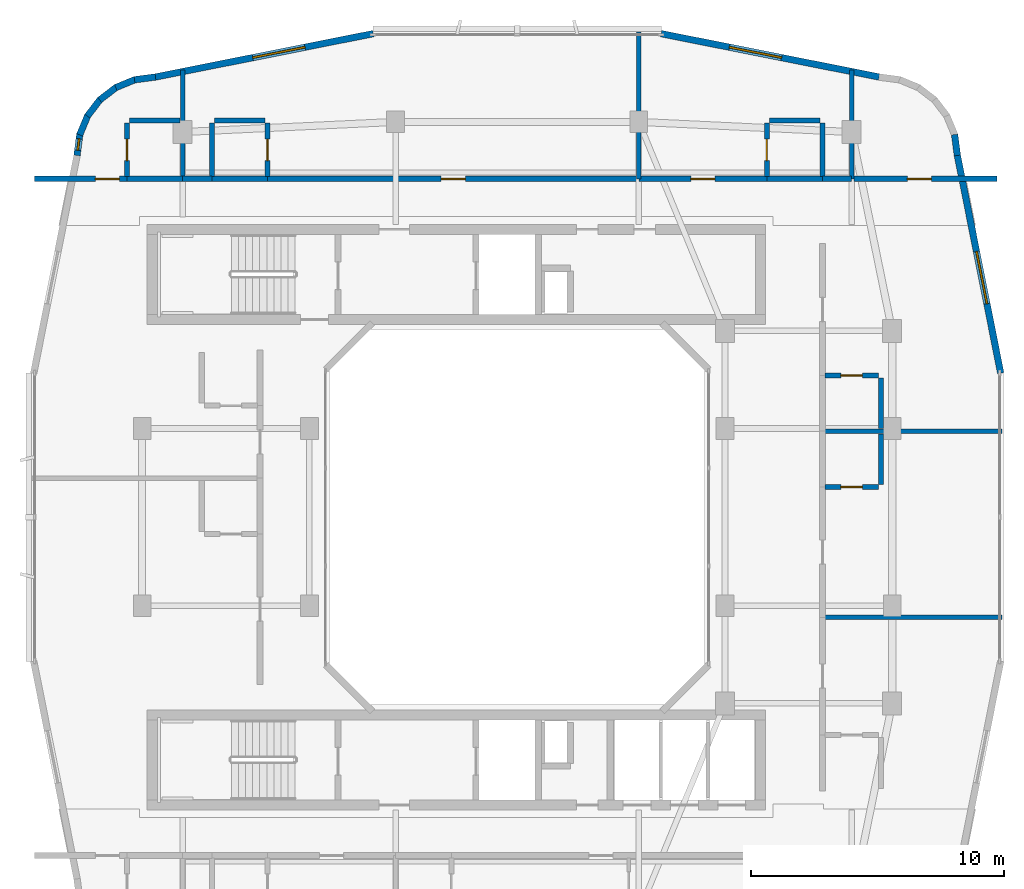
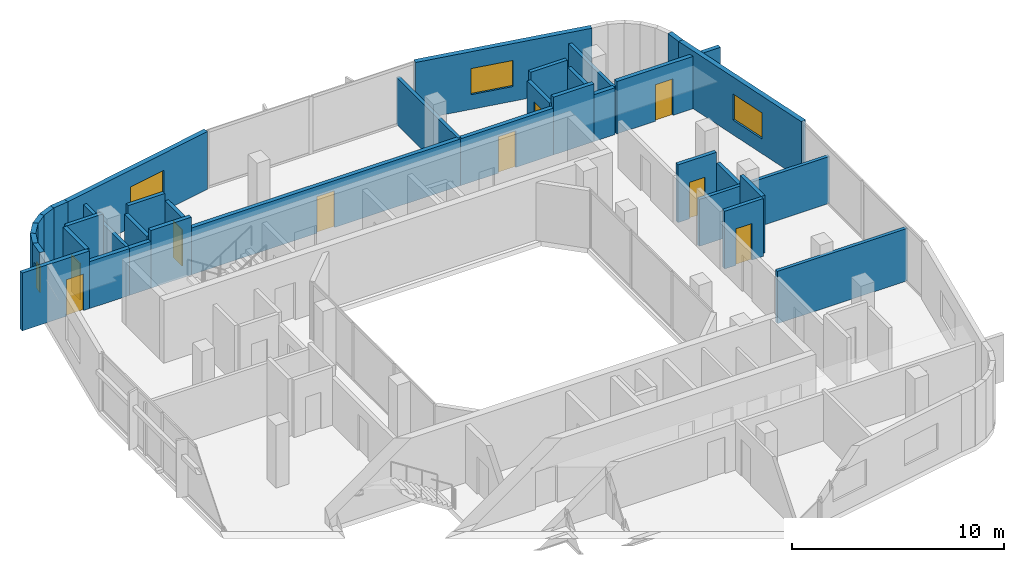
# One storey, part 9 of 14: 36 walls, 9 doors, 4 windows, 13 openings.
"""IFC4 building model written with IfcOpenShell, lengths in metres."""

from ifc_helpers import new_model, si_unit, derived_unit, direction, frame, frame_2d, origin, place, context, subcontext, project, spatial, rectangle, extrude, material, layer, layer_set, type_object, element, fill, save


model = new_model("IFC4")

# Units and contexts
model_context = context("Model", 3, precision=1e-05, world=origin(), true_north=direction((0.0, 1.0)))
body_context = subcontext(model_context, "Body", "Model", "MODEL_VIEW")
ifc_project = project(units=[si_unit("LENGTHUNIT", "METRE"), si_unit("AREAUNIT", "SQUARE_METRE"), si_unit("VOLUMEUNIT", "CUBIC_METRE"), si_unit("PLANEANGLEUNIT", "RADIAN"), si_unit("MASSUNIT", "GRAM", prefix="KILO"), derived_unit("THERMALTRANSMITTANCEUNIT", [(si_unit("POWERUNIT", "WATT"), 1), (si_unit("LENGTHUNIT", "METRE"), -2), (si_unit("THERMODYNAMICTEMPERATUREUNIT", "KELVIN"), -1)])], contexts=[model_context])

# Site, building, storey
site_placement = place(None, origin())
site = spatial("IfcSite", under=ifc_project, at=site_placement, CompositionType="ELEMENT")
building_placement = place(site_placement, origin())
building = spatial("IfcBuilding", under=site, at=building_placement, Name="Kivonza Crest Hotel", CompositionType="ELEMENT")
storey_placement = place(building_placement, frame((0.0, 0.0, 206.300048828125)))
storey = spatial("IfcBuildingStorey", under=building, at=storey_placement, Name="L56", CompositionType="ELEMENT", Elevation=206.300048828125)

# Walls
ifc_material_1 = material(Name="High-density acoustic masonry inter-tenancy wall", Category="masonry")
ifc_layer_1 = layer(ifc_material_1, 0.179931640625)
ifc_layer_set_1 = layer_set([ifc_layer_1], Name="High-density acoustic masonry inter-tenancy wall")
wall_type_1 = type_object("IfcWallType", Name="WL-ACOU-180", PredefinedType="SOLIDWALL", material=ifc_layer_set_1)
wall_1_placement = place(storey_placement, frame((7.800048828125, 38.35009765625, 0.0), z_axis=(0.0, 0.0, 1.0), x_axis=(0.0, 1.0, 0.0)))
element("IfcWall", 1, at=wall_1_placement, inside=storey, type_object=wall_type_1, Name="L56 interior partition WA-L56-T1N-DIV1", PredefinedType="SOLIDWALL", context=body_context, shape_type="SweptSolid", body=[
    extrude(rectangle(XDim=4.307861328125, YDim=0.179931640625, at=frame_2d((2.15380859375, 0.0))), origin(), (0.0, 0.0, 1.0), 2.695068359375),
])
wall_2_placement = place(storey_placement, frame((25.800048828125, 38.35009765625, 0.0), z_axis=(0.0, 0.0, 1.0), x_axis=(0.0, 1.0, 0.0)))
element("IfcWall", 2, at=wall_2_placement, inside=storey, type_object=wall_type_1, Name="L56 interior partition WA-L56-T1N-DIV2", PredefinedType="SOLIDWALL", context=body_context, shape_type="SweptSolid", body=[
    extrude(rectangle(XDim=5.789794921875, YDim=0.179931640625, at=frame_2d((2.89501953125, 0.0))), origin(), (0.0, 0.0, 1.0), 2.695068359375),
])
wall_3_placement = place(storey_placement, frame((34.199951171875, 38.35009765625, 0.0), z_axis=(0.0, 0.0, 1.0), x_axis=(0.0, 1.0, 0.0)))
element("IfcWall", 3, at=wall_3_placement, inside=storey, type_object=wall_type_1, Name="L56 interior partition WA-L56-T1N-DIV3", PredefinedType="SOLIDWALL", context=body_context, shape_type="SweptSolid", body=[
    extrude(rectangle(XDim=4.307861328125, YDim=0.179931640625, at=frame_2d((2.15380859375, 0.0))), origin(), (0.0, 0.0, 1.0), 2.695068359375),
])
wall_4_placement = place(storey_placement, frame((33.050048828125, 21.049072265625, 0.0), z_axis=(0.0, 0.0, 1.0), x_axis=(1.0, 0.0, 0.0)))
element("IfcWall", 4, at=wall_4_placement, inside=storey, type_object=wall_type_1, Name="L56 interior partition WA-L56-T1E-DIV1", PredefinedType="SOLIDWALL", context=body_context, shape_type="SweptSolid", body=[
    extrude(rectangle(XDim=7.08984375, YDim=0.179931640625, at=frame_2d((3.544921875, 0.0))), origin(), (0.0, 0.0, 1.0), 3.014892578125),
])
wall_5_placement = place(storey_placement, frame((33.050048828125, 28.39306640625, 0.0), z_axis=(0.0, 0.0, 1.0), x_axis=(1.0, 0.0, 0.0)))
element("IfcWall", 5, at=wall_5_placement, inside=storey, type_object=wall_type_1, Name="L56 interior partition WA-L56-T1E-DIV2", PredefinedType="SOLIDWALL", context=body_context, shape_type="SweptSolid", body=[
    extrude(rectangle(XDim=7.08984375, YDim=0.179931640625, at=frame_2d((3.544921875, 0.0))), origin(), (0.0, 0.0, 1.0), 2.695068359375),
])
ifc_material_2 = material(Name="Autoclaved aerated concrete blockwork", Category="masonry")
ifc_layer_2 = layer(ifc_material_2, 0.219970703125)
ifc_layer_set_2 = layer_set([ifc_layer_2], Name="Autoclaved aerated concrete blockwork")
wall_type_2 = type_object("IfcWallType", Name="WL-ACOU-220", PredefinedType="SOLIDWALL", material=ifc_layer_set_2)
wall_6_placement = place(storey_placement, frame((5.60009765625, 38.35009765625, 0.0), z_axis=(0.0, 0.0, 1.0), x_axis=(1.0, 0.0, 0.0)))
element("IfcWall", 6, at=wall_6_placement, inside=storey, type_object=wall_type_2, Name="L56 interior partition WA-L56-N01-BCORR", PredefinedType="SOLIDWALL", context=body_context, shape_type="SweptSolid", body=[
    extrude(rectangle(XDim=2.199951171875, YDim=0.219970703125, at=frame_2d((1.10009765625, 0.0))), origin(), (0.0, 0.0, 1.0), 2.695068359375),
])

# Wall, opening, door
wall_7_placement = place(storey_placement, frame((1.9599609375, 38.35009765625, 0.0), z_axis=(0.0, 0.0, 1.0), x_axis=(1.0, 0.0, 0.0)))
wall_7 = element("IfcWall", 7, at=wall_7_placement, inside=storey, type_object=wall_type_2, Name="L56 interior partition WA-L56-N01-MCORR", PredefinedType="SOLIDWALL", context=body_context, shape_type="SweptSolid", body=[
    extrude(rectangle(XDim=3.64013671875, YDim=0.219970703125, at=frame_2d((1.820068359375, 0.0))), origin(), (0.0, 0.0, 1.0), 3.320068359375),
])
opening_1_placement = place(wall_7_placement, frame((2.389892578125, 0.0, 0.0)))
opening_1 = element("IfcOpeningElement", 8, at=opening_1_placement, cuts=wall_7, Name="Opening DU-60", PredefinedType="OPENING", context=body_context, shape_type="SweptSolid", body=[
    extrude(rectangle(XDim=0.949951171875, YDim=2.10009765625, at=frame_2d((0.47509765625, 1.050048828125))), frame((0.0, 0.1201171875, 0.0), z_axis=(0.0, -1.0, 0.0), x_axis=(1.0, 0.0, 0.0)), (0.0, 0.0, 1.0), 0.239990234375),
])
ifc_material_3 = material(Name="Hardwood timber oak", Category="wood")
door_type_1 = type_object("IfcDoorType", Name="DR-UNIT-950", OperationType="NOTDEFINED", PredefinedType="DOOR", material=ifc_material_3)
door_1_placement = place(opening_1_placement, origin())
door_1 = element("IfcDoor", 9, at=door_1_placement, inside=storey, type_object=door_type_1, Name="L56 N01 guest unit entrance fire door", OperationType="SINGLE_SWING_LEFT", OverallHeight=2.10009765625, OverallWidth=0.949951171875, PredefinedType="DOOR", context=body_context, shape_type="SweptSolid", body=[
    extrude(rectangle(XDim=0.949951171875, YDim=2.10009765625, at=frame_2d((0.47509765625, 1.050048828125))), frame((0.0, 0.02490234375, 0.0), z_axis=(0.0, -1.0, 0.0), x_axis=(1.0, 0.0, 0.0)), (0.0, 0.0, 1.0), 0.050048828125),
])
fill(opening_1, door_1)

# Walls
wall_8_placement = place(storey_placement, frame((7.800048828125, 38.35009765625, 0.0), z_axis=(0.0, 0.0, 1.0), x_axis=(1.0, 0.0, 0.0)))
element("IfcWall", 10, at=wall_8_placement, inside=storey, type_object=wall_type_2, Name="L56 interior partition WA-L56-N02-XCORR", PredefinedType="SOLIDWALL", context=body_context, shape_type="SweptSolid", body=[
    extrude(rectangle(XDim=1.14990234375, YDim=0.219970703125, at=frame_2d((0.574951171875, 0.0))), origin(), (0.0, 0.0, 1.0), 2.695068359375),
])
wall_9_placement = place(storey_placement, frame((8.949951171875, 38.35009765625, 0.0), z_axis=(0.0, 0.0, 1.0), x_axis=(1.0, 0.0, 0.0)))
element("IfcWall", 11, at=wall_9_placement, inside=storey, type_object=wall_type_2, Name="L56 interior partition WA-L56-N02-BCORR", PredefinedType="SOLIDWALL", context=body_context, shape_type="SweptSolid", body=[
    extrude(rectangle(XDim=2.199951171875, YDim=0.219970703125, at=frame_2d((1.10009765625, 0.0))), origin(), (0.0, 0.0, 1.0), 3.320068359375),
])

# Wall, opening, door
wall_10_placement = place(storey_placement, frame((11.14990234375, 38.35009765625, 0.0), z_axis=(0.0, 0.0, 1.0), x_axis=(1.0, 0.0, 0.0)))
wall_10 = element("IfcWall", 12, at=wall_10_placement, inside=storey, type_object=wall_type_2, Name="L56 interior partition WA-L56-N02-MCORR", PredefinedType="SOLIDWALL", context=body_context, shape_type="SweptSolid", body=[
    extrude(rectangle(XDim=14.650146484375, YDim=0.219970703125, at=frame_2d((7.3251953125, 0.0))), origin(), (0.0, 0.0, 1.0), 2.695068359375),
])
opening_2_placement = place(wall_10_placement, frame((6.85009765625, 0.0, 0.0)))
opening_2 = element("IfcOpeningElement", 13, at=opening_2_placement, cuts=wall_10, Name="Opening DU-60", PredefinedType="OPENING", context=body_context, shape_type="SweptSolid", body=[
    extrude(rectangle(XDim=0.949951171875, YDim=2.10009765625, at=frame_2d((0.47509765625, 1.050048828125))), frame((0.0, 0.1201171875, 0.0), z_axis=(0.0, -1.0, 0.0), x_axis=(1.0, 0.0, 0.0)), (0.0, 0.0, 1.0), 0.239990234375),
])
door_2_placement = place(opening_2_placement, origin())
door_2 = element("IfcDoor", 14, at=door_2_placement, inside=storey, type_object=door_type_1, Name="L56 N02 guest unit entrance fire door", OperationType="SINGLE_SWING_RIGHT", OverallHeight=2.10009765625, OverallWidth=0.949951171875, PredefinedType="DOOR", context=body_context, shape_type="SweptSolid", body=[
    extrude(rectangle(XDim=0.949951171875, YDim=2.10009765625, at=frame_2d((0.47509765625, 1.050048828125))), frame((0.0, 0.02490234375, 0.0), z_axis=(0.0, -1.0, 0.0), x_axis=(1.0, 0.0, 0.0)), (0.0, 0.0, 1.0), 0.050048828125),
])
fill(opening_2, door_2)

# Walls
wall_11_placement = place(storey_placement, frame((33.050048828125, 38.35009765625, 0.0), z_axis=(0.0, 0.0, 1.0), x_axis=(1.0, 0.0, 0.0)))
element("IfcWall", 15, at=wall_11_placement, inside=storey, type_object=wall_type_2, Name="L56 interior partition WA-L56-N03-XCORR", PredefinedType="SOLIDWALL", context=body_context, shape_type="SweptSolid", body=[
    extrude(rectangle(XDim=1.14990234375, YDim=0.219970703125, at=frame_2d((0.574951171875, 0.0))), origin(), (0.0, 0.0, 1.0), 2.695068359375),
])
wall_12_placement = place(storey_placement, frame((30.85009765625, 38.35009765625, 0.0), z_axis=(0.0, 0.0, 1.0), x_axis=(1.0, 0.0, 0.0)))
element("IfcWall", 16, at=wall_12_placement, inside=storey, type_object=wall_type_2, Name="L56 interior partition WA-L56-N03-BCORR", PredefinedType="SOLIDWALL", context=body_context, shape_type="SweptSolid", body=[
    extrude(rectangle(XDim=2.199951171875, YDim=0.219970703125, at=frame_2d((1.10009765625, 0.0))), origin(), (0.0, 0.0, 1.0), 3.320068359375),
])

# Wall, opening, door
wall_13_placement = place(storey_placement, frame((25.800048828125, 38.35009765625, 0.0), z_axis=(0.0, 0.0, 1.0), x_axis=(1.0, 0.0, 0.0)))
wall_13 = element("IfcWall", 17, at=wall_13_placement, inside=storey, type_object=wall_type_2, Name="L56 interior partition WA-L56-N03-MCORR", PredefinedType="SOLIDWALL", context=body_context, shape_type="SweptSolid", body=[
    extrude(rectangle(XDim=5.050048828125, YDim=0.219970703125, at=frame_2d((2.52490234375, 0.0))), origin(), (0.0, 0.0, 1.0), 2.695068359375),
])
opening_3_placement = place(wall_13_placement, frame((2.050048828125, 0.0, 0.0)))
opening_3 = element("IfcOpeningElement", 18, at=opening_3_placement, cuts=wall_13, Name="Opening DU-60", PredefinedType="OPENING", context=body_context, shape_type="SweptSolid", body=[
    extrude(rectangle(XDim=0.949951171875, YDim=2.10009765625, at=frame_2d((0.47509765625, 1.050048828125))), frame((0.0, 0.1201171875, 0.0), z_axis=(0.0, -1.0, 0.0), x_axis=(1.0, 0.0, 0.0)), (0.0, 0.0, 1.0), 0.239990234375),
])
door_3_placement = place(opening_3_placement, origin())
door_3 = element("IfcDoor", 19, at=door_3_placement, inside=storey, type_object=door_type_1, Name="L56 N03 guest unit entrance fire door", OperationType="SINGLE_SWING_LEFT", OverallHeight=2.10009765625, OverallWidth=0.949951171875, PredefinedType="DOOR", context=body_context, shape_type="SweptSolid", body=[
    extrude(rectangle(XDim=0.949951171875, YDim=2.10009765625, at=frame_2d((0.47509765625, 1.050048828125))), frame((0.0, 0.02490234375, 0.0), z_axis=(0.0, -1.0, 0.0), x_axis=(1.0, 0.0, 0.0)), (0.0, 0.0, 1.0), 0.050048828125),
])
fill(opening_3, door_3)

wall_14_placement = place(storey_placement, frame((34.300048828125, 38.35009765625, 0.0), z_axis=(0.0, 0.0, 1.0), x_axis=(1.0, 0.0, 0.0)))
wall_14 = element("IfcWall", 20, at=wall_14_placement, inside=storey, type_object=wall_type_2, Name="L56 interior partition WA-L56-N-AMEN-S", PredefinedType="SOLIDWALL", context=body_context, shape_type="SweptSolid", body=[
    extrude(rectangle(XDim=5.639892578125, YDim=0.219970703125, at=frame_2d((2.81982421875, 0.0))), origin(), (0.0, 0.0, 1.0), 3.014892578125),
])
opening_4_placement = place(wall_14_placement, frame((2.10009765625, 0.0, 0.0)))
opening_4 = element("IfcOpeningElement", 21, at=opening_4_placement, cuts=wall_14, Name="Opening DF-60S", PredefinedType="OPENING", context=body_context, shape_type="SweptSolid", body=[
    extrude(rectangle(XDim=0.949951171875, YDim=2.10009765625, at=frame_2d((0.47509765625, 1.050048828125))), frame((0.0, 0.1201171875, 0.0), z_axis=(0.0, -1.0, 0.0), x_axis=(1.0, 0.0, 0.0)), (0.0, 0.0, 1.0), 0.239990234375),
])
door_type_2 = type_object("IfcDoorType", Name="DR-FD60-950", OperationType="NOTDEFINED", PredefinedType="DOOR", material=ifc_material_3)
door_4_placement = place(opening_4_placement, origin())
door_4 = element("IfcDoor", 22, at=door_4_placement, inside=storey, type_object=door_type_2, Name="L56 Guest Business Office door", OperationType="SINGLE_SWING_LEFT", OverallHeight=2.10009765625, OverallWidth=0.949951171875, PredefinedType="DOOR", context=body_context, shape_type="SweptSolid", body=[
    extrude(rectangle(XDim=0.949951171875, YDim=2.10009765625, at=frame_2d((0.47509765625, 1.050048828125))), frame((0.0, 0.02490234375, 0.0), z_axis=(0.0, -1.0, 0.0), x_axis=(1.0, 0.0, 0.0)), (0.0, 0.0, 1.0), 0.050048828125),
])
fill(opening_4, door_4)

# Wall, opening, window
ifc_material_4 = material(Name="Precast concrete C40/50", Category="concrete")
ifc_layer_3 = layer(ifc_material_4, 0.260009765625)
ifc_layer_set_3 = layer_set([ifc_layer_3], Name="Precast concrete C40/50")
wall_type_3 = type_object("IfcWallType", Name="WL-EXT-260", PredefinedType="STANDARD", material=ifc_layer_set_3)
wall_15_placement = place(storey_placement, frame((40.083984375, 30.680908203125, 0.0), z_axis=(0.0, 0.0, 1.0), x_axis=(-0.195291715883, 0.980745199176, 0.0)))
wall_15 = element("IfcWall", 23, at=wall_15_placement, inside=storey, type_object=wall_type_3, Name="L56 T1 exterior insulated wall 18", PredefinedType="STANDARD", context=body_context, shape_type="SweptSolid", body=[
    extrude(rectangle(XDim=8.77099609375, YDim=0.260009765625, at=frame_2d((4.385498046875, 0.0))), origin(), (0.0, 0.0, 1.0), 3.320068359375),
])
opening_5_placement = place(wall_15_placement, frame((2.798095703125, 0.0, 0.85009765625)))
opening_5 = element("IfcOpeningElement", 24, at=opening_5_placement, cuts=wall_15, Name="Opening WN-04", PredefinedType="OPENING", context=body_context, shape_type="SweptSolid", body=[
    extrude(rectangle(XDim=2.10009765625, YDim=1.5, at=frame_2d((1.050048828125, 0.75))), frame((0.0, 0.14013671875, 0.0), z_axis=(0.0, -1.0, 0.0), x_axis=(1.0, 0.0, 0.0)), (0.0, 0.0, 1.0), 0.280029296875),
])
ifc_material_5 = material(Name="Thermally broken bronze aluminium and low-E double glazing", Category="aluminium")
window_type_1 = type_object("IfcWindowType", Name="WN-210x150", PartitioningType="DOUBLE_PANEL_VERTICAL", PredefinedType="WINDOW", material=ifc_material_5)
window_1_placement = place(opening_5_placement, origin())
window_1 = element("IfcWindow", 25, at=window_1_placement, inside=storey, type_object=window_type_1, Name="L56 T1 facade window 18", OverallHeight=1.5, OverallWidth=2.10009765625, PartitioningType="SINGLE_PANEL", PredefinedType="WINDOW", context=body_context, shape_type="SweptSolid", body=[
    extrude(rectangle(XDim=2.10009765625, YDim=1.5, at=frame_2d((1.050048828125, 0.75))), frame((0.0, 0.030029296875, 0.0), z_axis=(0.0, -1.0, 0.0), x_axis=(1.0, 0.0, 0.0)), (0.0, 0.0, 1.0), 0.06005859375),
])
fill(opening_5, window_1)

# Wall
wall_16_placement = place(storey_placement, frame((38.3720703125, 39.27490234375, 0.0), z_axis=(0.0, 0.0, 1.0), x_axis=(-0.130954667764, 0.9913883573, 0.0)))
element("IfcWall", 26, at=wall_16_placement, inside=storey, type_object=wall_type_3, Name="L56 T1 exterior insulated wall 19", PredefinedType="STANDARD", context=body_context, shape_type="SweptSolid", body=[
    extrude(rectangle(XDim=0.833251953125, YDim=0.260009765625, at=frame_2d((0.41650390625, 0.0))), origin(), (0.0, 0.0, 1.0), 3.320068359375),
])

# Wall, opening, window
wall_17_placement = place(storey_placement, frame((35.282958984375, 42.37109375, 0.0), z_axis=(0.0, 0.0, 1.0), x_axis=(-0.980745199176, 0.195291715883, 0.0)))
wall_17 = element("IfcWall", 27, at=wall_17_placement, inside=storey, type_object=wall_type_3, Name="L56 T1 exterior insulated wall 25", PredefinedType="STANDARD", context=body_context, shape_type="SweptSolid", body=[
    extrude(rectangle(XDim=8.77099609375, YDim=0.260009765625, at=frame_2d((4.385498046875, 0.0))), origin(), (0.0, 0.0, 1.0), 3.320068359375),
])
opening_6_placement = place(wall_17_placement, frame((3.925048828125, 0.0, 0.85009765625)))
opening_6 = element("IfcOpeningElement", 28, at=opening_6_placement, cuts=wall_17, Name="Opening WN-04", PredefinedType="OPENING", context=body_context, shape_type="SweptSolid", body=[
    extrude(rectangle(XDim=2.10009765625, YDim=1.5, at=frame_2d((1.050048828125, 0.75))), frame((0.0, 0.14013671875, 0.0), z_axis=(0.0, -1.0, 0.0), x_axis=(1.0, 0.0, 0.0)), (0.0, 0.0, 1.0), 0.280029296875),
])
window_2_placement = place(opening_6_placement, origin())
window_2 = element("IfcWindow", 29, at=window_2_placement, inside=storey, type_object=window_type_1, Name="L56 T1 facade window 25", OverallHeight=1.5, OverallWidth=2.10009765625, PartitioningType="SINGLE_PANEL", PredefinedType="WINDOW", context=body_context, shape_type="SweptSolid", body=[
    extrude(rectangle(XDim=2.10009765625, YDim=1.5, at=frame_2d((1.050048828125, 0.75))), frame((0.0, 0.030029296875, 0.0), z_axis=(0.0, -1.0, 0.0), x_axis=(1.0, 0.0, 0.0)), (0.0, 0.0, 1.0), 0.06005859375),
])
fill(opening_6, window_2)

wall_18_placement = place(storey_placement, frame((15.319091796875, 44.083984375, 0.0), z_axis=(0.0, 0.0, 1.0), x_axis=(-0.980745199176, -0.195291715883, 0.0)))
wall_18 = element("IfcWall", 30, at=wall_18_placement, inside=storey, type_object=wall_type_3, Name="L56 T1 exterior insulated wall 27", PredefinedType="STANDARD", context=body_context, shape_type="SweptSolid", body=[
    extrude(rectangle(XDim=8.77099609375, YDim=0.260009765625, at=frame_2d((4.385498046875, 0.0))), origin(), (0.0, 0.0, 1.0), 3.320068359375),
])
opening_7_placement = place(wall_18_placement, frame((2.74609375, 0.0, 0.85009765625)))
opening_7 = element("IfcOpeningElement", 31, at=opening_7_placement, cuts=wall_18, Name="Opening WN-04", PredefinedType="OPENING", context=body_context, shape_type="SweptSolid", body=[
    extrude(rectangle(XDim=2.10009765625, YDim=1.5, at=frame_2d((1.050048828125, 0.75))), frame((0.0, 0.14013671875, 0.0), z_axis=(0.0, -1.0, 0.0), x_axis=(1.0, 0.0, 0.0)), (0.0, 0.0, 1.0), 0.280029296875),
])
window_3_placement = place(opening_7_placement, origin())
window_3 = element("IfcWindow", 32, at=window_3_placement, inside=storey, type_object=window_type_1, Name="L56 T1 facade window 27", OverallHeight=1.5, OverallWidth=2.10009765625, PartitioningType="SINGLE_PANEL", PredefinedType="WINDOW", context=body_context, shape_type="SweptSolid", body=[
    extrude(rectangle(XDim=2.10009765625, YDim=1.5, at=frame_2d((1.050048828125, 0.75))), frame((0.0, 0.030029296875, 0.0), z_axis=(0.0, -1.0, 0.0), x_axis=(1.0, 0.0, 0.0)), (0.0, 0.0, 1.0), 0.06005859375),
])
fill(opening_7, window_3)

# Walls
wall_19_placement = place(storey_placement, frame((6.72509765625, 42.3720703125, 0.0), z_axis=(0.0, 0.0, 1.0), x_axis=(-0.9913883573, -0.130954667764, 0.0)))
element("IfcWall", 33, at=wall_19_placement, inside=storey, type_object=wall_type_3, Name="L56 T1 exterior insulated wall 28", PredefinedType="STANDARD", context=body_context, shape_type="SweptSolid", body=[
    extrude(rectangle(XDim=0.833251953125, YDim=0.260009765625, at=frame_2d((0.41650390625, 0.0))), origin(), (0.0, 0.0, 1.0), 3.320068359375),
])
wall_20_placement = place(storey_placement, frame((5.945068359375, 42.281005859375, 0.0), z_axis=(0.0, 0.0, 1.0), x_axis=(-0.923754491172, -0.382985169477, 0.0)))
element("IfcWall", 34, at=wall_20_placement, inside=storey, type_object=wall_type_3, Name="L56 T1 exterior insulated wall 29", PredefinedType="STANDARD", context=body_context, shape_type="SweptSolid", body=[
    extrude(rectangle(XDim=0.85107421875, YDim=0.260009765625, at=frame_2d((0.425537109375, 0.0))), origin(), (0.0, 0.0, 1.0), 3.320068359375),
])
for number, where, z_axis, x_axis, name in (
    (35, (5.198974609375, 41.98291015625, 0.0), (0.0, 0.0, 1.0), (-0.793999057278, -0.607918988881, 0.0), "L56 T1 exterior insulated wall 30"),
    (36, (4.554931640625, 41.50390625, 0.0), (0.0, 0.0, 1.0), (-0.608057619941, -0.793892896323, 0.0), "L56 T1 exterior insulated wall 31"),
):
    element("IfcWall", number, at=place(storey_placement, frame(where, z_axis=z_axis, x_axis=x_axis)), inside=storey, type_object=wall_type_3, Name=name, PredefinedType="STANDARD", context=body_context, shape_type="SweptSolid", body=[
        extrude(rectangle(XDim=0.85009765625, YDim=0.260009765625, at=frame_2d((0.425048828125, 0.0))), origin(), (0.0, 0.0, 1.0), 3.320068359375),
    ])
wall_21_placement = place(storey_placement, frame((4.05908203125, 40.873046875, 0.0), z_axis=(0.0, 0.0, 1.0), x_axis=(-0.383229930484, -0.923652976167, 0.0)))
element("IfcWall", 37, at=wall_21_placement, inside=storey, type_object=wall_type_3, Name="L56 T1 exterior insulated wall 32", PredefinedType="STANDARD", context=body_context, shape_type="SweptSolid", body=[
    extrude(rectangle(XDim=0.85107421875, YDim=0.260009765625, at=frame_2d((0.425537109375, 0.0))), origin(), (0.0, 0.0, 1.0), 3.320068359375),
])

# Wall, opening, window
wall_22_placement = place(storey_placement, frame((3.740966796875, 40.135986328125, 0.0), z_axis=(0.0, 0.0, 1.0), x_axis=(-0.130156359936, -0.991493480548, 0.0)))
wall_22 = element("IfcWall", 38, at=wall_22_placement, inside=storey, type_object=wall_type_3, Name="L56 T1 exterior insulated wall 33", PredefinedType="STANDARD", context=body_context, shape_type="SweptSolid", body=[
    extrude(rectangle(XDim=0.868408203125, YDim=0.260009765625, at=frame_2d((0.43408203125, 0.0))), origin(), (0.0, 0.0, 1.0), 3.320068359375),
])
opening_8_placement = place(wall_22_placement, frame((0.208984375, 0.0, 0.85009765625)))
opening_8 = element("IfcOpeningElement", 39, at=opening_8_placement, cuts=wall_22, Name="Opening WN-11", PredefinedType="OPENING", context=body_context, shape_type="SweptSolid", body=[
    extrude(rectangle(XDim=0.449951171875, YDim=1.5, at=frame_2d((0.22509765625, 0.75))), frame((0.0, 0.14013671875, 0.0), z_axis=(0.0, -1.0, 0.0), x_axis=(1.0, 0.0, 0.0)), (0.0, 0.0, 1.0), 0.280029296875),
])
window_type_2 = type_object("IfcWindowType", Name="WN-045x150", PartitioningType="SINGLE_PANEL", PredefinedType="WINDOW", material=ifc_material_5)
window_4_placement = place(opening_8_placement, origin())
window_4 = element("IfcWindow", 40, at=window_4_placement, inside=storey, type_object=window_type_2, Name="L56 corner vision window 1", OverallHeight=1.5, OverallWidth=0.449951171875, PartitioningType="SINGLE_PANEL", PredefinedType="WINDOW", context=body_context, shape_type="SweptSolid", body=[
    extrude(rectangle(XDim=0.449951171875, YDim=1.5, at=frame_2d((0.22509765625, 0.75))), frame((0.0, 0.030029296875, 0.0), z_axis=(0.0, -1.0, 0.0), x_axis=(1.0, 0.0, 0.0)), (0.0, 0.0, 1.0), 0.06005859375),
])
fill(opening_8, window_4)

# Wall, opening, door
ifc_material_6 = material(Name="Moisture-resistant plumbing chase partition wall", Category="gypsum")
ifc_layer_4 = layer(ifc_material_6, 0.199951171875)
ifc_layer_set_4 = layer_set([ifc_layer_4], Name="Moisture-resistant plumbing chase partition wall")
wall_type_4 = type_object("IfcWallType", Name="WL-PLUMB-200", PredefinedType="PLUMBINGWALL", material=ifc_layer_set_4)
wall_23_placement = place(storey_placement, frame((5.60009765625, 38.449951171875, 0.0), z_axis=(0.0, 0.0, 1.0), x_axis=(0.0, 1.0, 0.0)))
wall_23 = element("IfcWall", 41, at=wall_23_placement, inside=storey, type_object=wall_type_4, Name="L56 interior partition WW-L56-N01-BV", PredefinedType="PLUMBINGWALL", context=body_context, shape_type="SweptSolid", body=[
    extrude(rectangle(XDim=2.10009765625, YDim=0.199951171875, at=frame_2d((1.050048828125, 0.0))), origin(), (0.0, 0.0, 1.0), 3.320068359375),
])
opening_9_placement = place(wall_23_placement, frame((0.625, 0.0, 0.0)))
opening_9 = element("IfcOpeningElement", 42, at=opening_9_placement, cuts=wall_23, Name="Opening DI-85", PredefinedType="OPENING", context=body_context, shape_type="SweptSolid", body=[
    extrude(rectangle(XDim=0.85009765625, YDim=2.10009765625, at=frame_2d((0.425048828125, 1.050048828125))), frame((0.0, 0.10986328125, 0.0), z_axis=(0.0, -1.0, 0.0), x_axis=(1.0, 0.0, 0.0)), (0.0, 0.0, 1.0), 0.219970703125),
])
door_type_3 = type_object("IfcDoorType", Name="DR-INT-850", OperationType="NOTDEFINED", PredefinedType="DOOR", material=ifc_material_3)
door_5_placement = place(opening_9_placement, origin())
door_5 = element("IfcDoor", 43, at=door_5_placement, inside=storey, type_object=door_type_3, Name="L56 N01 en-suite bathroom door", OperationType="SINGLE_SWING_RIGHT", OverallHeight=2.10009765625, OverallWidth=0.85009765625, PredefinedType="DOOR", context=body_context, shape_type="SweptSolid", body=[
    extrude(rectangle(XDim=0.85009765625, YDim=2.10009765625, at=frame_2d((0.425048828125, 1.050048828125))), frame((0.0, 0.02490234375, 0.0), z_axis=(0.0, -1.0, 0.0), x_axis=(1.0, 0.0, 0.0)), (0.0, 0.0, 1.0), 0.050048828125),
])
fill(opening_9, door_5)

# Wall
wall_24_placement = place(storey_placement, frame((5.699951171875, 40.64990234375, 0.0), z_axis=(0.0, 0.0, 1.0), x_axis=(1.0, 0.0, 0.0)))
element("IfcWall", 44, at=wall_24_placement, inside=storey, type_object=wall_type_4, Name="L56 interior partition WW-L56-N01-BH", PredefinedType="PLUMBINGWALL", context=body_context, shape_type="SweptSolid", body=[
    extrude(rectangle(XDim=2.0, YDim=0.199951171875, at=frame_2d((1.0, 0.0))), origin(), (0.0, 0.0, 1.0), 3.320068359375),
])

# Wall, opening, door
wall_25_placement = place(storey_placement, frame((11.14990234375, 38.449951171875, 0.0), z_axis=(0.0, 0.0, 1.0), x_axis=(0.0, 1.0, 0.0)))
wall_25 = element("IfcWall", 45, at=wall_25_placement, inside=storey, type_object=wall_type_4, Name="L56 interior partition WW-L56-N02-BV", PredefinedType="PLUMBINGWALL", context=body_context, shape_type="SweptSolid", body=[
    extrude(rectangle(XDim=2.10009765625, YDim=0.199951171875, at=frame_2d((1.050048828125, 0.0))), origin(), (0.0, 0.0, 1.0), 2.89501953125),
])
opening_10_placement = place(wall_25_placement, frame((0.625, 0.0, 0.0)))
opening_10 = element("IfcOpeningElement", 46, at=opening_10_placement, cuts=wall_25, Name="Opening DI-85", PredefinedType="OPENING", context=body_context, shape_type="SweptSolid", body=[
    extrude(rectangle(XDim=0.85009765625, YDim=2.10009765625, at=frame_2d((0.425048828125, 1.050048828125))), frame((0.0, 0.10986328125, 0.0), z_axis=(0.0, -1.0, 0.0), x_axis=(1.0, 0.0, 0.0)), (0.0, 0.0, 1.0), 0.219970703125),
])
door_6_placement = place(opening_10_placement, frame((0.85009765625, 0.0, 0.0), z_axis=(0.0, 0.0, 1.0), x_axis=(-1.0, 0.0, 0.0)))
door_6 = element("IfcDoor", 47, at=door_6_placement, inside=storey, type_object=door_type_3, Name="L56 N02 en-suite bathroom door", OperationType="SINGLE_SWING_LEFT", OverallHeight=2.10009765625, OverallWidth=0.85009765625, PredefinedType="DOOR", context=body_context, shape_type="SweptSolid", body=[
    extrude(rectangle(XDim=0.85009765625, YDim=2.10009765625, at=frame_2d((0.425048828125, 1.050048828125))), frame((0.0, 0.02490234375, 0.0), z_axis=(0.0, -1.0, 0.0), x_axis=(1.0, 0.0, 0.0)), (0.0, 0.0, 1.0), 0.050048828125),
])
fill(opening_10, door_6)

# Walls
wall_26_placement = place(storey_placement, frame((9.050048828125, 40.64990234375, 0.0), z_axis=(0.0, 0.0, 1.0), x_axis=(1.0, 0.0, 0.0)))
element("IfcWall", 48, at=wall_26_placement, inside=storey, type_object=wall_type_4, Name="L56 interior partition WW-L56-N02-BH", PredefinedType="PLUMBINGWALL", context=body_context, shape_type="SweptSolid", body=[
    extrude(rectangle(XDim=2.0, YDim=0.199951171875, at=frame_2d((1.0, 0.0))), origin(), (0.0, 0.0, 1.0), 3.320068359375),
])
wall_27_placement = place(storey_placement, frame((8.949951171875, 38.449951171875, 0.0), z_axis=(0.0, 0.0, 1.0), x_axis=(0.0, 1.0, 0.0)))
element("IfcWall", 49, at=wall_27_placement, inside=storey, type_object=wall_type_4, Name="L56 interior partition WW-L56-N02-BVW", PredefinedType="PLUMBINGWALL", context=body_context, shape_type="SweptSolid", body=[
    extrude(rectangle(XDim=2.10009765625, YDim=0.199951171875, at=frame_2d((1.050048828125, 0.0))), origin(), (0.0, 0.0, 1.0), 2.89501953125),
])

# Wall, opening, door
wall_28_placement = place(storey_placement, frame((30.85009765625, 38.449951171875, 0.0), z_axis=(0.0, 0.0, 1.0), x_axis=(0.0, 1.0, 0.0)))
wall_28 = element("IfcWall", 50, at=wall_28_placement, inside=storey, type_object=wall_type_4, Name="L56 interior partition WW-L56-N03-BV", PredefinedType="PLUMBINGWALL", context=body_context, shape_type="SweptSolid", body=[
    extrude(rectangle(XDim=2.10009765625, YDim=0.199951171875, at=frame_2d((1.050048828125, 0.0))), origin(), (0.0, 0.0, 1.0), 2.89501953125),
])
opening_11_placement = place(wall_28_placement, frame((0.625, 0.0, 0.0)))
opening_11 = element("IfcOpeningElement", 51, at=opening_11_placement, cuts=wall_28, Name="Opening DI-85", PredefinedType="OPENING", context=body_context, shape_type="SweptSolid", body=[
    extrude(rectangle(XDim=0.85009765625, YDim=2.10009765625, at=frame_2d((0.425048828125, 1.050048828125))), frame((0.0, 0.10986328125, 0.0), z_axis=(0.0, -1.0, 0.0), x_axis=(1.0, 0.0, 0.0)), (0.0, 0.0, 1.0), 0.219970703125),
])
door_7_placement = place(opening_11_placement, origin())
door_7 = element("IfcDoor", 52, at=door_7_placement, inside=storey, type_object=door_type_3, Name="L56 N03 en-suite bathroom door", OperationType="SINGLE_SWING_RIGHT", OverallHeight=2.10009765625, OverallWidth=0.85009765625, PredefinedType="DOOR", context=body_context, shape_type="SweptSolid", body=[
    extrude(rectangle(XDim=0.85009765625, YDim=2.10009765625, at=frame_2d((0.425048828125, 1.050048828125))), frame((0.0, 0.02490234375, 0.0), z_axis=(0.0, -1.0, 0.0), x_axis=(1.0, 0.0, 0.0)), (0.0, 0.0, 1.0), 0.050048828125),
])
fill(opening_11, door_7)

# Walls
wall_29_placement = place(storey_placement, frame((30.949951171875, 40.64990234375, 0.0), z_axis=(0.0, 0.0, 1.0), x_axis=(1.0, 0.0, 0.0)))
element("IfcWall", 53, at=wall_29_placement, inside=storey, type_object=wall_type_4, Name="L56 interior partition WW-L56-N03-BH", PredefinedType="PLUMBINGWALL", context=body_context, shape_type="SweptSolid", body=[
    extrude(rectangle(XDim=2.0, YDim=0.199951171875, at=frame_2d((1.0, 0.0))), origin(), (0.0, 0.0, 1.0), 3.320068359375),
])
wall_30_placement = place(storey_placement, frame((33.050048828125, 38.449951171875, 0.0), z_axis=(0.0, 0.0, 1.0), x_axis=(0.0, 1.0, 0.0)))
element("IfcWall", 54, at=wall_30_placement, inside=storey, type_object=wall_type_4, Name="L56 interior partition WW-L56-N03-BVE", PredefinedType="PLUMBINGWALL", context=body_context, shape_type="SweptSolid", body=[
    extrude(rectangle(XDim=2.10009765625, YDim=0.199951171875, at=frame_2d((1.050048828125, 0.0))), origin(), (0.0, 0.0, 1.0), 2.89501953125),
])

# Wall, opening, door
wall_31_placement = place(storey_placement, frame((33.14990234375, 26.193115234375, 0.0), z_axis=(0.0, 0.0, 1.0), x_axis=(1.0, 0.0, 0.0)))
wall_31 = element("IfcWall", 55, at=wall_31_placement, inside=storey, type_object=wall_type_4, Name="L56 interior partition WW-L56-E10-BH", PredefinedType="PLUMBINGWALL", context=body_context, shape_type="SweptSolid", body=[
    extrude(rectangle(XDim=2.10009765625, YDim=0.199951171875, at=frame_2d((1.050048828125, 0.0))), origin(), (0.0, 0.0, 1.0), 3.320068359375),
])
opening_12_placement = place(wall_31_placement, frame((0.625, 0.0, 0.0)))
opening_12 = element("IfcOpeningElement", 56, at=opening_12_placement, cuts=wall_31, Name="Opening DI-85", PredefinedType="OPENING", context=body_context, shape_type="SweptSolid", body=[
    extrude(rectangle(XDim=0.85009765625, YDim=2.10009765625, at=frame_2d((0.425048828125, 1.050048828125))), frame((0.0, 0.10986328125, 0.0), z_axis=(0.0, -1.0, 0.0), x_axis=(1.0, 0.0, 0.0)), (0.0, 0.0, 1.0), 0.219970703125),
])
door_8_placement = place(opening_12_placement, frame((0.85009765625, 0.0, 0.0), z_axis=(0.0, 0.0, 1.0), x_axis=(-1.0, 0.0, 0.0)))
door_8 = element("IfcDoor", 57, at=door_8_placement, inside=storey, type_object=door_type_3, Name="L56 E10 en-suite bathroom door", OperationType="SINGLE_SWING_LEFT", OverallHeight=2.10009765625, OverallWidth=0.85009765625, PredefinedType="DOOR", context=body_context, shape_type="SweptSolid", body=[
    extrude(rectangle(XDim=0.85009765625, YDim=2.10009765625, at=frame_2d((0.425048828125, 1.050048828125))), frame((0.0, 0.02490234375, 0.0), z_axis=(0.0, -1.0, 0.0), x_axis=(1.0, 0.0, 0.0)), (0.0, 0.0, 1.0), 0.050048828125),
])
fill(opening_12, door_8)

# Wall
wall_32_placement = place(storey_placement, frame((35.35009765625, 26.29296875, 0.0), z_axis=(0.0, 0.0, 1.0), x_axis=(0.0, 1.0, 0.0)))
element("IfcWall", 58, at=wall_32_placement, inside=storey, type_object=wall_type_4, Name="L56 interior partition WW-L56-E10-BV", PredefinedType="PLUMBINGWALL", context=body_context, shape_type="SweptSolid", body=[
    extrude(rectangle(XDim=2.0, YDim=0.199951171875, at=frame_2d((1.0, 0.0))), origin(), (0.0, 0.0, 1.0), 3.320068359375),
])

# Wall, opening, door
wall_33_placement = place(storey_placement, frame((33.14990234375, 30.593017578125, 0.0), z_axis=(0.0, 0.0, 1.0), x_axis=(1.0, 0.0, 0.0)))
wall_33 = element("IfcWall", 59, at=wall_33_placement, inside=storey, type_object=wall_type_4, Name="L56 interior partition WW-L56-E11-BH", PredefinedType="PLUMBINGWALL", context=body_context, shape_type="SweptSolid", body=[
    extrude(rectangle(XDim=2.10009765625, YDim=0.199951171875, at=frame_2d((1.050048828125, 0.0))), origin(), (0.0, 0.0, 1.0), 3.320068359375),
])
opening_13_placement = place(wall_33_placement, frame((0.625, 0.0, 0.0)))
opening_13 = element("IfcOpeningElement", 60, at=opening_13_placement, cuts=wall_33, Name="Opening DI-85", PredefinedType="OPENING", context=body_context, shape_type="SweptSolid", body=[
    extrude(rectangle(XDim=0.85009765625, YDim=2.10009765625, at=frame_2d((0.425048828125, 1.050048828125))), frame((0.0, 0.10986328125, 0.0), z_axis=(0.0, -1.0, 0.0), x_axis=(1.0, 0.0, 0.0)), (0.0, 0.0, 1.0), 0.219970703125),
])
door_9_placement = place(opening_13_placement, origin())
door_9 = element("IfcDoor", 61, at=door_9_placement, inside=storey, type_object=door_type_3, Name="L56 E11 en-suite bathroom door", OperationType="SINGLE_SWING_RIGHT", OverallHeight=2.10009765625, OverallWidth=0.85009765625, PredefinedType="DOOR", context=body_context, shape_type="SweptSolid", body=[
    extrude(rectangle(XDim=0.85009765625, YDim=2.10009765625, at=frame_2d((0.425048828125, 1.050048828125))), frame((0.0, 0.02490234375, 0.0), z_axis=(0.0, -1.0, 0.0), x_axis=(1.0, 0.0, 0.0)), (0.0, 0.0, 1.0), 0.050048828125),
])
fill(opening_13, door_9)

# Wall
wall_34_placement = place(storey_placement, frame((35.35009765625, 28.492919921875, 0.0), z_axis=(0.0, 0.0, 1.0), x_axis=(0.0, 1.0, 0.0)))
element("IfcWall", 62, at=wall_34_placement, inside=storey, type_object=wall_type_4, Name="L56 interior partition WW-L56-E11-BV", PredefinedType="PLUMBINGWALL", context=body_context, shape_type="SweptSolid", body=[
    extrude(rectangle(XDim=2.0, YDim=0.199951171875, at=frame_2d((1.0, 0.0))), origin(), (0.0, 0.0, 1.0), 2.695068359375),
])

save(model, "model.ifc")
